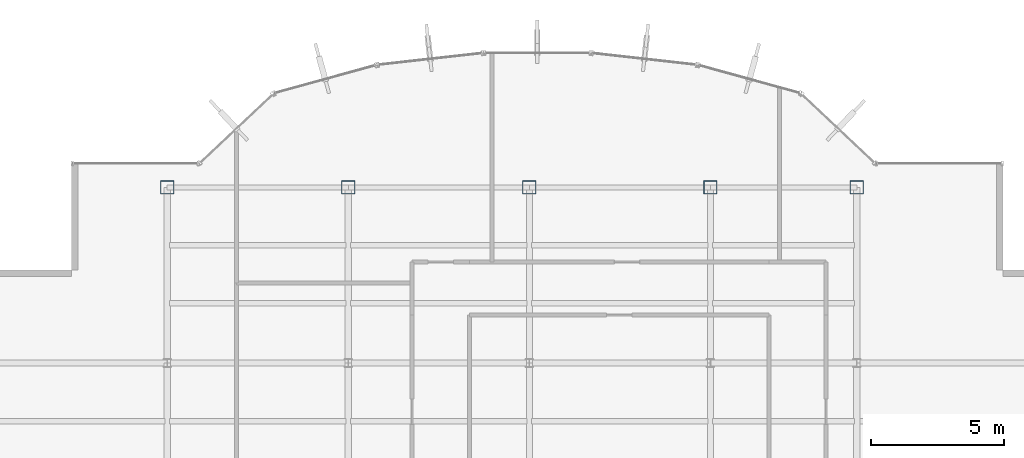
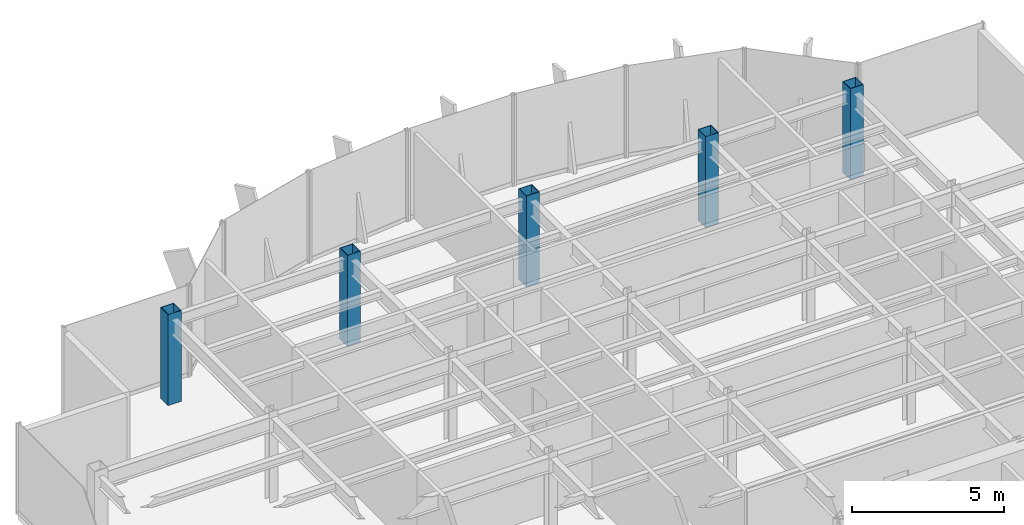
# One storey, part 2 of 22: 5 columns.
"""IFC4 building model written with IfcOpenShell, lengths in metres."""

from ifc_helpers import new_model, si_unit, derived_unit, direction, frame, origin, origin_2d, place, context, subcontext, project, spatial, hollow_rectangle, extrude, source, transform, mapped, material, material_profile, profile_set, type_object, element, save


model = new_model("IFC4")

# Units and contexts
model_context = context("Model", 3, precision=1e-05, world=origin(), true_north=direction((0.0, 1.0)))
body_context = subcontext(model_context, "Body", "Model", "MODEL_VIEW")
ifc_project = project(units=[si_unit("LENGTHUNIT", "METRE"), si_unit("AREAUNIT", "SQUARE_METRE"), si_unit("VOLUMEUNIT", "CUBIC_METRE"), si_unit("PLANEANGLEUNIT", "RADIAN"), si_unit("MASSUNIT", "GRAM", prefix="KILO"), derived_unit("THERMALTRANSMITTANCEUNIT", [(si_unit("POWERUNIT", "WATT"), 1), (si_unit("LENGTHUNIT", "METRE"), -2), (si_unit("THERMODYNAMICTEMPERATUREUNIT", "KELVIN"), -1)])], contexts=[model_context])

# Site, building, storey
site_placement = place(None, origin())
site = spatial("IfcSite", under=ifc_project, at=site_placement, CompositionType="ELEMENT")
building_placement = place(site_placement, origin())
building = spatial("IfcBuilding", under=site, at=building_placement, Name="Skarnbrae Concourse Arena and Tower", CompositionType="ELEMENT")
storey_placement = place(building_placement, frame((0.0, 0.0, 247.85009765625)))
storey = spatial("IfcBuildingStorey", under=building, at=storey_placement, Name="L64", CompositionType="ELEMENT", Elevation=247.85009765625)

# Columns
ifc_material = material(Name="Steel CSA G40.21 350W", Category="steel")
ifc_material_profile = material_profile(ifc_material, hollow_rectangle(XDim=0.5, YDim=0.5, WallThickness=0.02197265625, at=origin_2d()), Name="HSS500X500X22.0")
ifc_profile_set = profile_set([ifc_material_profile], Name="Steel CSA G40.21 350W")
column_type = type_object("IfcColumnType", Name="COL-TUBE-HSS500", PredefinedType="COLUMN", material=ifc_profile_set)
shared_shape = source(origin(), body_context, "Body", "SweptSolid", [
    extrude(hollow_rectangle(XDim=0.5, YDim=0.5, WallThickness=0.02197265625, at=origin_2d()), origin(), (0.0, 0.0, 1.0), 3.64990234375),
])
for number, where, z_axis, x_axis, name in (
    (1, (7.60009765625, 34.39990234375, 0.0), (0.0, 0.0, 1.0), (1.0, 0.0, 0.0), "L64 Tower column PC_02_05"),
    (2, (14.39990234375, 34.39990234375, 0.0), (0.0, 0.0, 1.0), (1.0, 0.0, 0.0), "L64 Tower column PC_03_05"),
    (3, (21.199951171875, 34.39990234375, 0.0), (0.0, 0.0, 1.0), (1.0, 0.0, 0.0), "L64 Tower column PC_04_05"),
    (4, (28.0, 34.39990234375, 0.0), (0.0, 0.0, 1.0), (1.0, 0.0, 0.0), "L64 Tower column PC_05_05"),
    (5, (33.5, 34.39990234375, 0.0), (0.0, 0.0, 1.0), (1.0, 0.0, 0.0), "L64 Tower column PC_06_05"),
):
    element("IfcColumn", number, at=place(storey_placement, frame(where, z_axis=z_axis, x_axis=x_axis)), inside=storey, type_object=column_type, Name=name, PredefinedType="COLUMN", context=body_context, shape_type="MappedRepresentation", body=[
        mapped(shared_shape, transform((0.0, 0.0, 0.0))),
    ])

save(model, "model.ifc")
